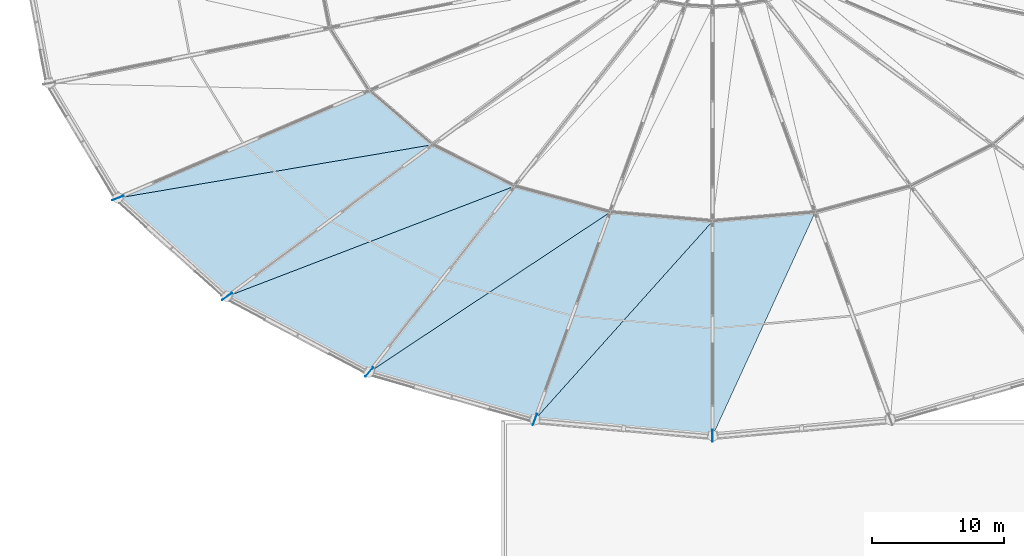
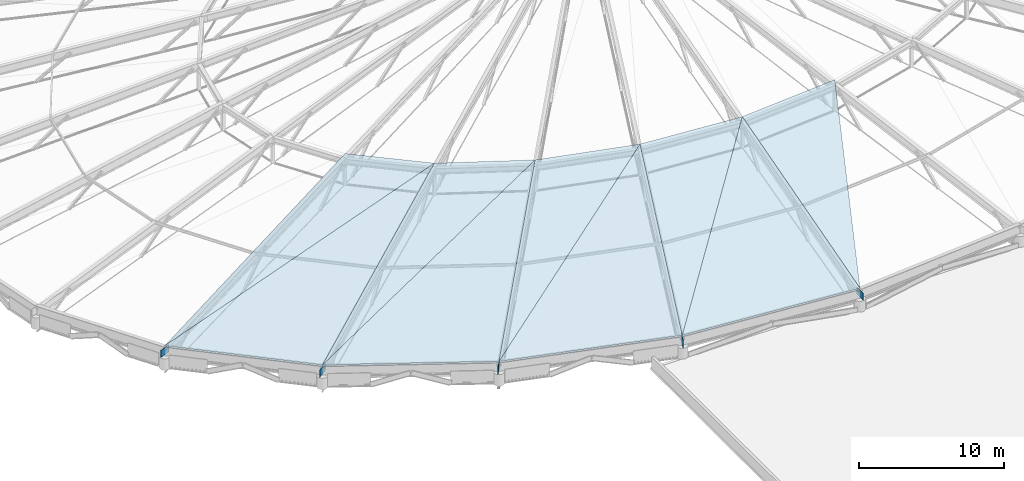
# One storey, part 45 of 83: 9 slabs, 5 plates, 1 element without a shape of its own.
"""IFC4 building model written with IfcOpenShell, lengths in metres."""

from ifc_helpers import new_model, si_unit, direction, frame, origin, origin_2d, place, context, subcontext, project, spatial, polyline, rectangle, outline, extrude, material, layer, layer_set, type_object, element, aggregate, save


model = new_model("IFC4")

# Units and contexts
model_context = context("Model", 3, precision=1e-05, world=origin(), true_north=direction((0.0, 1.0)))
body_context = subcontext(model_context, "Body", "Model", "MODEL_VIEW")
ifc_project = project(units=[si_unit("LENGTHUNIT", "METRE"), si_unit("AREAUNIT", "SQUARE_METRE"), si_unit("VOLUMEUNIT", "CUBIC_METRE"), si_unit("PLANEANGLEUNIT", "RADIAN"), si_unit("MASSUNIT", "GRAM", prefix="KILO")], contexts=[model_context])

# Site, building, storey
site_placement = place(None, origin())
site = spatial("IfcSite", under=ifc_project, at=site_placement, CompositionType="ELEMENT")
building_placement = place(site_placement, origin())
building = spatial("IfcBuilding", under=site, at=building_placement, Name="Kivolera Central Railway Station", CompositionType="ELEMENT")
storey_placement = place(building_placement, frame((0.0, 0.0, 14.39990234375)))
storey = spatial("IfcBuildingStorey", under=building, at=storey_placement, Name="L03", CompositionType="ELEMENT", Elevation=14.39990234375)

# Plates
ifc_material_1 = material(Name="Steel S355", Category="steel")
ifc_layer_1 = layer(ifc_material_1, 0.028076171875, Name="Steel S355")
ifc_layer_set_1 = layer_set([ifc_layer_1], Name="Steel S355")
plate_type = type_object("IfcPlateType", Name="PLT-GUS-900", PredefinedType="SHEET", material=ifc_layer_set_1)
for number, where, z_axis, x_axis, name in (
    (1, (18.967041015625, 72.0, 1.050048828125), (0.0, 0.0, 1.0), (-0.92857006367, -0.371157159241, 0.0), "Dome Springing Node Gusset Plate NP-15"),
    (2, (27.22998046875, 64.5439453125, 1.050048828125), (0.0, 0.0, 1.0), (-0.82219371691, -0.569207775661, 0.0), "Dome Springing Node Gusset Plate NP-16"),
    (3, (38.0, 58.822998046875, 1.050048828125), (0.0, 0.0, 1.0), (-0.640458269571, -0.767992971933, 0.0), "Dome Springing Node Gusset Plate NP-17"),
    (4, (50.541015625, 55.22705078125, 1.050048828125), (0.0, 0.0, 1.0), (-0.360957320631, -0.932582335605, 0.0), "Dome Springing Node Gusset Plate NP-18"),
    (5, (64.0, 54.0, 1.050048828125), (0.0, 0.0, 1.0), (0.0, -1.0, 0.0), "Dome Springing Node Gusset Plate NP-19"),
):
    element("IfcPlate", number, at=place(storey_placement, frame(where, z_axis=z_axis, x_axis=x_axis)), inside=storey, type_object=plate_type, Name=name, PredefinedType="SHEET", context=body_context, shape_type="SweptSolid", body=[
        extrude(rectangle(XDim=0.89990234375, YDim=0.028076171875, at=origin_2d()), origin(), (0.0, 0.0, 1.0), 0.60009765625),
    ])

# Roof, slabs
roof_type = type_object("IfcRoofType", Name="ROOF-DOME-MAIN", PredefinedType="DOME_ROOF", material=ifc_material_1)
roof_placement = place(storey_placement, origin())
roof = element("IfcRoof", 6, at=roof_placement, inside=storey, type_object=roof_type, Name="Oval Concourse Radial-Ribbed Cable-Net Dome Roof", PredefinedType="DOME_ROOF")
ifc_material_2 = material(Name="Precast concrete C40/50", Category="concrete")
ifc_layer_2 = layer(ifc_material_2, 0.179931640625, Name="Precast concrete C40/50")
ifc_layer_set_2 = layer_set([ifc_layer_2], Name="Precast concrete C40/50")
slab_type = type_object("IfcSlabType", Name="SLB-DOME-180", PredefinedType="ROOF", material=ifc_layer_set_2)
slab_1_placement = place(storey_placement, frame((18.967041015625, 72.0, 1.800048828125), z_axis=(-0.158008426344, -0.175107897499, 0.971787302571), x_axis=(0.74242638035, -0.669927660095, 0.0)))
slab_1 = element("IfcSlab", 7, at=slab_1_placement, type_object=slab_type, Name="Oval Dome Faceted Roof Panel F1A-14", PredefinedType="ROOF", context=body_context, shape_type="SweptSolid", body=[
    extrude(outline(polyline([(0.0, 0.0), (11.12964149957223, 8.881784197001252e-16), (14.981547903628956, 19.50359693066863), (0.0, 0.0)])), origin(), (0.0, 0.0, -1.0), 0.179931640625),
])
slab_2_placement = place(storey_placement, frame((18.967041015625, 72.0, 1.800048828125), z_axis=(-0.156541405077, -0.18248992068, 0.970665862873), x_axis=(0.968553919078, 0.164064597872, 0.187045752593)))
slab_2 = element("IfcSlab", 8, at=slab_2_placement, type_object=slab_type, Name="Oval Dome Faceted Roof Panel F1B-14", PredefinedType="ROOF", context=body_context, shape_type="SweptSolid", body=[
    extrude(outline(polyline([(0.0, 0.0), (24.59343552297474, -3.3306690738754696e-16), (20.64634474381376, 4.887100427503965), (0.0, 0.0)])), origin(), (0.0, 0.0, -1.0), 0.179931640625),
])
slab_3_placement = place(storey_placement, frame((27.22998046875, 64.5439453125, 1.800048828125), z_axis=(-0.118698889855, -0.223457637822, 0.967459176217), x_axis=(0.883136972992, -0.469115217122, 0.0)))
slab_3 = element("IfcSlab", 9, at=slab_3_placement, type_object=slab_type, Name="Oval Dome Faceted Roof Panel F1A-15", PredefinedType="ROOF", context=body_context, shape_type="SweptSolid", body=[
    extrude(outline(polyline([(0.0, 0.0), (12.195185866544579, 8.881784197001252e-16), (15.307835035137368, 18.180252683272666), (0.0, 0.0)])), origin(), (0.0, 0.0, -1.0), 0.179931640625),
])
slab_4_placement = place(storey_placement, frame((27.22998046875, 64.5439453125, 1.800048828125), z_axis=(-0.116057048472, -0.229712978884, 0.96631398046), x_axis=(0.915992069215, 0.351419633148, 0.193553017474)))
slab_4 = element("IfcSlab", 10, at=slab_4_placement, type_object=slab_type, Name="Oval Dome Faceted Roof Panel F1B-15", PredefinedType="ROOF", context=body_context, shape_type="SweptSolid", body=[
    extrude(outline(polyline([(0.0, 0.0), (23.766602640903937, 1.5543122344752192e-15), (19.17872081619885, 5.234896754846341), (0.0, 0.0)])), origin(), (0.0, 0.0, -1.0), 0.179931640625),
])
slab_5_placement = place(storey_placement, frame((38.0, 58.822998046875, 1.800048828125), z_axis=(-0.073370494672, -0.255882651252, 0.963919519099), x_axis=(0.961264358362, -0.275628070673, 0.0)))
slab_5 = element("IfcSlab", 11, at=slab_5_placement, type_object=slab_type, Name="Oval Dome Faceted Roof Panel F1A-16", PredefinedType="ROOF", context=body_context, shape_type="SweptSolid", body=[
    extrude(outline(polyline([(0.0, 0.0), (13.04637534503933, 4.440892098500626e-16), (14.19363226360877, 17.28100713472998), (0.0, 0.0)])), origin(), (0.0, 0.0, -1.0), 0.179931640625),
])
slab_6_placement = place(storey_placement, frame((38.0, 58.822998046875, 1.800048828125), z_axis=(-0.070765298894, -0.259513628601, 0.963143265067), x_axis=(0.815423450192, 0.541082821738, 0.205703614204)))
slab_6 = element("IfcSlab", 12, at=slab_6_placement, type_object=slab_type, Name="Oval Dome Faceted Roof Panel F1B-16", PredefinedType="ROOF", context=body_context, shape_type="SweptSolid", body=[
    extrude(outline(polyline([(0.0, 0.0), (22.36274590530296, 1.3322676295501878e-15), (17.53057215921328, 5.7349117033308055), (0.0, 0.0)])), origin(), (0.0, 0.0, -1.0), 0.179931640625),
])
slab_7_placement = place(storey_placement, frame((50.541015625, 55.22705078125, 1.800048828125), z_axis=(-0.024825091498, -0.272295591746, 0.961893354561), x_axis=(0.995869777974, -0.0907930907, 0.0)))
slab_7 = element("IfcSlab", 13, at=slab_7_placement, type_object=slab_type, Name="Oval Dome Faceted Roof Panel F1A-17", PredefinedType="ROOF", context=body_context, shape_type="SweptSolid", body=[
    extrude(outline(polyline([(0.0, 0.0), (13.51480351415663, 0.0), (12.03941579028584, 16.823989702543454), (0.0, 0.0)])), origin(), (0.0, 0.0, -1.0), 0.179931640625),
])
slab_8_placement = place(storey_placement, frame((50.541015625, 55.22705078125, 1.800048828125), z_axis=(-0.023685904805, -0.273242728445, 0.96165346631), x_axis=(0.650569001934, 0.726166611613, 0.222355629343)))
slab_8 = element("IfcSlab", 14, at=slab_8_placement, type_object=slab_type, Name="Oval Dome Faceted Roof Panel F1B-17", PredefinedType="ROOF", context=body_context, shape_type="SweptSolid", body=[
    extrude(outline(polyline([(0.0, 0.0), (20.68801977190355, -6.661338147750939e-16), (16.125200983257034, 6.318805209638953), (0.0, 0.0)])), origin(), (0.0, 0.0, -1.0), 0.179931640625),
])
slab_9_placement = place(storey_placement, frame((64.0, 54.0, 1.800048828125), z_axis=(0.023604500812, -0.272303644655, 0.961921801733), x_axis=(0.40485793474, 0.882362441829, 0.239846980235)))
slab_9 = element("IfcSlab", 15, at=slab_9_placement, type_object=slab_type, Name="Oval Dome Faceted Roof Panel F1B-18", PredefinedType="ROOF", context=body_context, shape_type="SweptSolid", body=[
    extrude(outline(polyline([(0.0, 0.0), (19.17930195220841, -1.7763568394002505e-15), (15.441709211357216, 6.8393724184988285), (0.0, 0.0)])), origin(), (0.0, 0.0, -1.0), 0.179931640625),
])
aggregate(roof, [slab_1, slab_2, slab_3, slab_4, slab_5, slab_6, slab_7, slab_8, slab_9])

save(model, "model.ifc")
